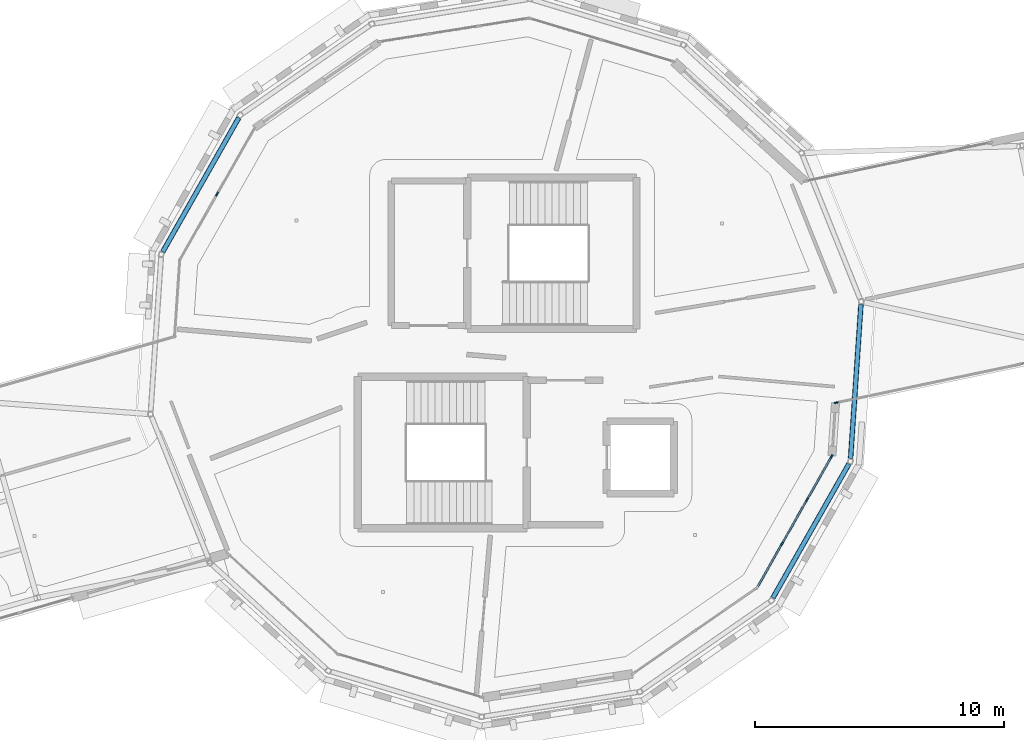
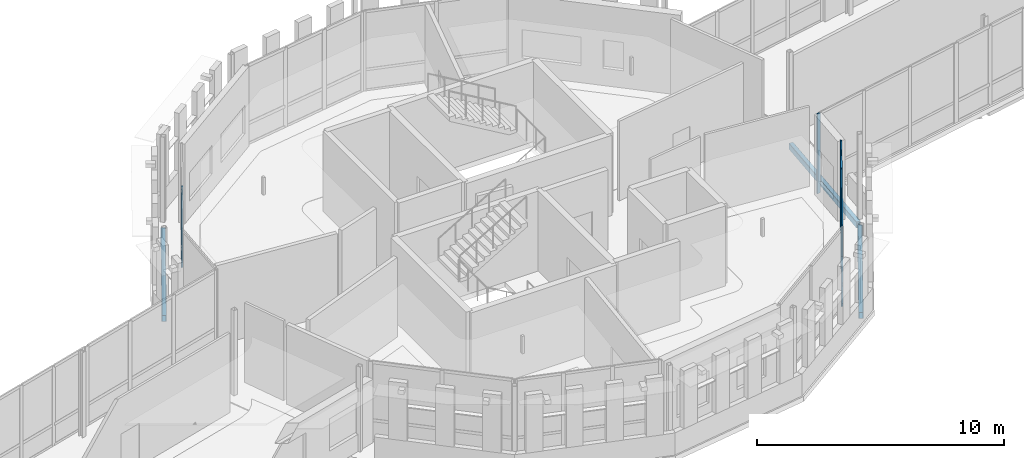
# One storey, part 49 of 125: 14 members, 3 beams, 3 elements without a shape of their own.
"""IFC4 building model written with IfcOpenShell, lengths in metres."""

from ifc_helpers import new_model, si_unit, direction, frame, origin, origin_2d, place, context, subcontext, project, spatial, rectangle, hollow_rectangle, extrude, material, material_profile, profile_set, type_object, element, aggregate, save


model = new_model("IFC4")

# Units and contexts
model_context = context("Model", 3, precision=1e-05, world=origin(), true_north=direction((0.0, 1.0)))
body_context = subcontext(model_context, "Body", "Model", "MODEL_VIEW")
ifc_project = project(units=[si_unit("LENGTHUNIT", "METRE"), si_unit("AREAUNIT", "SQUARE_METRE"), si_unit("VOLUMEUNIT", "CUBIC_METRE"), si_unit("PLANEANGLEUNIT", "RADIAN"), si_unit("MASSUNIT", "GRAM", prefix="KILO")], contexts=[model_context])

# Site, building, storey
site_placement = place(None, origin())
site = spatial("IfcSite", under=ifc_project, at=site_placement, CompositionType="ELEMENT")
building_placement = place(site_placement, origin())
building = spatial("IfcBuilding", under=site, at=building_placement, Name="Wrenclough Park School", CompositionType="ELEMENT")
storey_placement = place(building_placement, frame((0.0, 0.0, 4.199951171875)))
storey = spatial("IfcBuildingStorey", under=building, at=storey_placement, Name="L01", CompositionType="ELEMENT", Elevation=4.199951171875)

# Curtain wall, member
ifc_material_1 = material(Name="Thermally broken aluminium and low-e glass curtain wall", Category="aluminium")
curtain_wall_type_1 = type_object("IfcCurtainWallType", Name="ENV-CW-06", PredefinedType="USERDEFINED", material=ifc_material_1)
curtain_wall_1_placement = place(storey_placement, origin())
curtain_wall_1 = element("IfcCurtainWall", 1, at=curtain_wall_1_placement, inside=storey, type_object=curtain_wall_type_1, Name="L01 recessed curtain wall assembly 165", ObjectType="CURTAIN WALL", PredefinedType="USERDEFINED")
ifc_material_2 = material(Name="Thermally broken anodised aluminium", Category="aluminium")
ifc_material_profile_1 = material_profile(ifc_material_2, rectangle(XDim=0.06005859375, YDim=0.159912109375, at=origin_2d()), Name="AL MULLION 60x160")
ifc_profile_set_1 = profile_set([ifc_material_profile_1], Name="Thermally broken anodised aluminium")
member_type_1 = type_object("IfcMemberType", Name="ENV-CWM-1", PredefinedType="MULLION", material=ifc_profile_set_1)
member_1_placement = place(storey_placement, frame((96.27587890625, 106.70166015625, 0.0), z_axis=(0.0, 0.0, 1.0), x_axis=(0.204873635602, -0.978788431396, 0.0)))
member_1 = element("IfcMember", 2, at=member_1_placement, type_object=member_type_1, Name="CW-06 mullion 4", PredefinedType="MULLION", context=body_context, shape_type="SweptSolid", body=[
    extrude(rectangle(XDim=0.06005859375, YDim=0.159912109375, at=origin_2d()), origin(), (0.0, 0.0, 1.0), 3.93994140625),
])
aggregate(curtain_wall_1, [member_1])

curtain_wall_type_2 = type_object("IfcCurtainWallType", Name="ENV-CW-08", PredefinedType="USERDEFINED", material=ifc_material_1)
curtain_wall_2_placement = place(storey_placement, origin())
curtain_wall_2 = element("IfcCurtainWall", 3, at=curtain_wall_2_placement, inside=storey, type_object=curtain_wall_type_2, Name="L01 recessed curtain wall assembly 103", ObjectType="CURTAIN WALL", PredefinedType="USERDEFINED")
ifc_material_profile_2 = material_profile(ifc_material_2, rectangle(XDim=0.06494140625, YDim=0.179931640625, at=origin_2d()), Name="AL MULLION 65x180")
ifc_profile_set_2 = profile_set([ifc_material_profile_2], Name="Thermally broken anodised aluminium")
member_type_2 = type_object("IfcMemberType", Name="ENV-CWM-2", PredefinedType="MULLION", material=ifc_profile_set_2)
member_2_placement = place(storey_placement, frame((71.40283203125, 115.08056640625, 0.0), z_axis=(0.0, 0.0, 1.0), x_axis=(-0.869745456163, 0.493500599274, 0.0)))
member_2 = element("IfcMember", 4, at=member_2_placement, type_object=member_type_2, Name="CW-08 mullion 2", PredefinedType="MULLION", context=body_context, shape_type="SweptSolid", body=[
    extrude(rectangle(XDim=0.06494140625, YDim=0.179931640625, at=origin_2d()), origin(), (0.0, 0.0, 1.0), 3.93994140625),
])
aggregate(curtain_wall_2, [member_2])

# Curtain wall, members
curtain_wall_type_3 = type_object("IfcCurtainWallType", Name="ENV-CW-07", PredefinedType="USERDEFINED", material=ifc_material_1)
curtain_wall_3_placement = place(storey_placement, origin())
curtain_wall_3 = element("IfcCurtainWall", 5, at=curtain_wall_3_placement, inside=storey, type_object=curtain_wall_type_3, Name="L01 recessed curtain wall assembly 166", ObjectType="CURTAIN WALL", PredefinedType="USERDEFINED")
member_3_placement = place(storey_placement, frame((96.0810546875, 104.534912109375, 0.0), z_axis=(0.0, 0.0, 1.0), x_axis=(0.869745456163, -0.493500599274, 0.0)))
member_3 = element("IfcMember", 6, at=member_3_placement, type_object=member_type_2, Name="CW-07 mullion 1", PredefinedType="MULLION", context=body_context, shape_type="SweptSolid", body=[
    extrude(rectangle(XDim=0.06494140625, YDim=0.179931640625, at=origin_2d()), origin(), (0.0, 0.0, 1.0), 3.93994140625),
])
member_4_placement = place(storey_placement, frame((95.09716796875, 102.80078125, 0.0), z_axis=(0.0, 0.0, 1.0), x_axis=(0.869745456163, -0.493500599274, 0.0)))
member_4 = element("IfcMember", 7, at=member_4_placement, type_object=member_type_2, Name="CW-07 mullion 2", PredefinedType="MULLION", context=body_context, shape_type="SweptSolid", body=[
    extrude(rectangle(XDim=0.06494140625, YDim=0.179931640625, at=origin_2d()), origin(), (0.0, 0.0, 1.0), 3.93994140625),
])
member_5_placement = place(storey_placement, frame((94.09716796875, 101.038330078125, 0.0), z_axis=(0.0, 0.0, 1.0), x_axis=(0.869745456163, -0.493500599274, 0.0)))
member_5 = element("IfcMember", 8, at=member_5_placement, type_object=member_type_2, Name="CW-07 mullion 3", PredefinedType="MULLION", context=body_context, shape_type="SweptSolid", body=[
    extrude(rectangle(XDim=0.06494140625, YDim=0.179931640625, at=origin_2d()), origin(), (0.0, 0.0, 1.0), 3.93994140625),
])
ifc_material_profile_3 = material_profile(ifc_material_2, rectangle(XDim=0.06494140625, YDim=0.139892578125, at=origin_2d()), Name="AL TRANSOM 65x140")
ifc_profile_set_3 = profile_set([ifc_material_profile_3], Name="Thermally broken anodised aluminium")
member_type_3 = type_object("IfcMemberType", Name="ENV-CWT-2", PredefinedType="USERDEFINED", material=ifc_profile_set_3)
member_6_placement = place(storey_placement, frame((96.06494140625, 104.506591796875, 0.032470703125), z_axis=(-0.493478738974, -0.869757859511, 0.0), x_axis=(0.869757859511, -0.493478738974, 0.0)))
member_6 = element("IfcMember", 9, at=member_6_placement, type_object=member_type_3, Name="CW-07 transom 1.1", ObjectType="TRANSOM", PredefinedType="USERDEFINED", context=body_context, shape_type="SweptSolid", body=[
    extrude(rectangle(XDim=0.06494140625, YDim=0.139892578125, at=origin_2d()), origin(), (0.0, 0.0, 1.0), 1.928955078125),
])
member_7_placement = place(storey_placement, frame((96.06494140625, 104.506591796875, 1.050048828125), z_axis=(-0.493478738974, -0.869757859511, 0.0), x_axis=(0.869757859511, -0.493478738974, 0.0)))
member_7 = element("IfcMember", 10, at=member_7_placement, type_object=member_type_3, Name="CW-07 transom 1.2", ObjectType="TRANSOM", PredefinedType="USERDEFINED", context=body_context, shape_type="SweptSolid", body=[
    extrude(rectangle(XDim=0.06494140625, YDim=0.139892578125, at=origin_2d()), origin(), (0.0, 0.0, 1.0), 1.928955078125),
])
member_8_placement = place(storey_placement, frame((96.06494140625, 104.506591796875, 3.907470703125), z_axis=(-0.493478738974, -0.869757859511, 0.0), x_axis=(0.869757859511, -0.493478738974, 0.0)))
member_8 = element("IfcMember", 11, at=member_8_placement, type_object=member_type_3, Name="CW-07 transom 1.3", ObjectType="TRANSOM", PredefinedType="USERDEFINED", context=body_context, shape_type="SweptSolid", body=[
    extrude(rectangle(XDim=0.06494140625, YDim=0.139892578125, at=origin_2d()), origin(), (0.0, 0.0, 1.0), 1.928955078125),
])
member_9_placement = place(storey_placement, frame((95.0810546875, 102.7724609375, 0.032470703125), z_axis=(-0.493549538372, -0.869717685903, 0.0), x_axis=(0.869717685903, -0.493549538372, 0.0)))
member_9 = element("IfcMember", 12, at=member_9_placement, type_object=member_type_3, Name="CW-07 transom 2.1", ObjectType="TRANSOM", PredefinedType="USERDEFINED", context=body_context, shape_type="SweptSolid", body=[
    extrude(rectangle(XDim=0.06494140625, YDim=0.139892578125, at=origin_2d()), origin(), (0.0, 0.0, 1.0), 1.96142578125),
])
member_10_placement = place(storey_placement, frame((95.0810546875, 102.7724609375, 1.050048828125), z_axis=(-0.493549538372, -0.869717685903, 0.0), x_axis=(0.869717685903, -0.493549538372, 0.0)))
member_10 = element("IfcMember", 13, at=member_10_placement, type_object=member_type_3, Name="CW-07 transom 2.2", ObjectType="TRANSOM", PredefinedType="USERDEFINED", context=body_context, shape_type="SweptSolid", body=[
    extrude(rectangle(XDim=0.06494140625, YDim=0.139892578125, at=origin_2d()), origin(), (0.0, 0.0, 1.0), 1.96142578125),
])
member_11_placement = place(storey_placement, frame((95.0810546875, 102.7724609375, 3.907470703125), z_axis=(-0.493549538372, -0.869717685903, 0.0), x_axis=(0.869717685903, -0.493549538372, 0.0)))
member_11 = element("IfcMember", 14, at=member_11_placement, type_object=member_type_3, Name="CW-07 transom 2.3", ObjectType="TRANSOM", PredefinedType="USERDEFINED", context=body_context, shape_type="SweptSolid", body=[
    extrude(rectangle(XDim=0.06494140625, YDim=0.139892578125, at=origin_2d()), origin(), (0.0, 0.0, 1.0), 1.96142578125),
])
member_12_placement = place(storey_placement, frame((94.0810546875, 101.010009765625, 0.032470703125), z_axis=(-0.493533066776, -0.869727033039, 0.0), x_axis=(0.869727033039, -0.493533066776, 0.0)))
member_12 = element("IfcMember", 15, at=member_12_placement, type_object=member_type_3, Name="CW-07 transom 3.1", ObjectType="TRANSOM", PredefinedType="USERDEFINED", context=body_context, shape_type="SweptSolid", body=[
    extrude(rectangle(XDim=0.06494140625, YDim=0.139892578125, at=origin_2d()), origin(), (0.0, 0.0, 1.0), 1.9287109375),
])
member_13_placement = place(storey_placement, frame((94.0810546875, 101.010009765625, 1.050048828125), z_axis=(-0.493533066776, -0.869727033039, 0.0), x_axis=(0.869727033039, -0.493533066776, 0.0)))
member_13 = element("IfcMember", 16, at=member_13_placement, type_object=member_type_3, Name="CW-07 transom 3.2", ObjectType="TRANSOM", PredefinedType="USERDEFINED", context=body_context, shape_type="SweptSolid", body=[
    extrude(rectangle(XDim=0.06494140625, YDim=0.139892578125, at=origin_2d()), origin(), (0.0, 0.0, 1.0), 1.9287109375),
])
member_14_placement = place(storey_placement, frame((94.0810546875, 101.010009765625, 3.907470703125), z_axis=(-0.493533066776, -0.869727033039, 0.0), x_axis=(0.869727033039, -0.493533066776, 0.0)))
member_14 = element("IfcMember", 17, at=member_14_placement, type_object=member_type_3, Name="CW-07 transom 3.3", ObjectType="TRANSOM", PredefinedType="USERDEFINED", context=body_context, shape_type="SweptSolid", body=[
    extrude(rectangle(XDim=0.06494140625, YDim=0.139892578125, at=origin_2d()), origin(), (0.0, 0.0, 1.0), 1.9287109375),
])
aggregate(curtain_wall_3, [member_3, member_4, member_5, member_6, member_7, member_8, member_9, member_10, member_11, member_12, member_13, member_14])

# Beams
ifc_material_3 = material(Name="Structural steel S355", Category="steel")
ifc_material_profile_4 = material_profile(ifc_material_3, hollow_rectangle(XDim=0.199951171875, YDim=0.300048828125, WallThickness=0.012451171875, InnerFilletRadius=0.012451171875, OuterFilletRadius=0.018798828125, at=origin_2d()), Name="RHS 300x200x12.5")
ifc_profile_set_4 = profile_set([ifc_material_profile_4], Name="Structural steel S355")
beam_type = type_object("IfcBeamType", Name="STR-BM-RHS300", PredefinedType="SPANDREL", material=ifc_profile_set_4)
for number, where, z_axis, x_axis, name in (
    (18, (72.27490234375, 118.14453125, -0.39990234375), (-0.493512001297, -0.869738986464, 0.0), (0.869738986464, -0.493512001297, 0.0), "D4 L01 outer ring spandrel beam 6"),
    (19, (93.72509765625, 98.85546875, -0.39990234375), (0.493512001297, 0.869738986464, 0.0), (-0.869738986464, 0.493512001297, 0.0), "D4 L01 outer ring spandrel beam 13"),
):
    element("IfcBeam", number, at=place(storey_placement, frame(where, z_axis=z_axis, x_axis=x_axis)), inside=storey, type_object=beam_type, Name=name, PredefinedType="SPANDREL", context=body_context, shape_type="SweptSolid", body=[
        extrude(hollow_rectangle(XDim=0.199951171875, YDim=0.300048828125, WallThickness=0.012451171875, InnerFilletRadius=0.012451171875, OuterFilletRadius=0.018798828125, at=origin_2d()), origin(), (0.0, 0.0, 1.0), 6.190673828125),
    ])
beam_placement = place(storey_placement, frame((96.84765625, 104.4638671875, -0.39990234375), z_axis=(0.067236146332, 0.997737089932, 0.0), x_axis=(-0.997737089932, 0.067236146332, 0.0)))
element("IfcBeam", 20, at=beam_placement, inside=storey, type_object=beam_type, Name="D4 L01 outer ring spandrel beam 14", PredefinedType="SPANDREL", context=body_context, shape_type="SweptSolid", body=[
    extrude(hollow_rectangle(XDim=0.199951171875, YDim=0.300048828125, WallThickness=0.012451171875, InnerFilletRadius=0.012451171875, OuterFilletRadius=0.018798828125, at=origin_2d()), origin(), (0.0, 0.0, 1.0), 6.19091796875),
])

save(model, "model.ifc")
